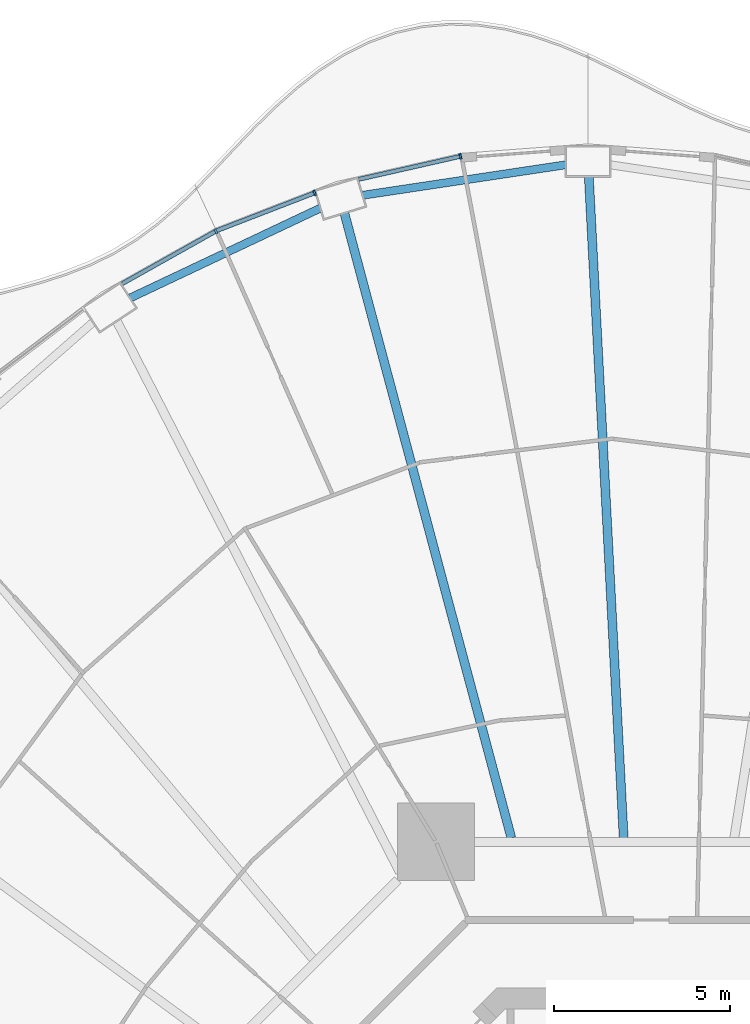
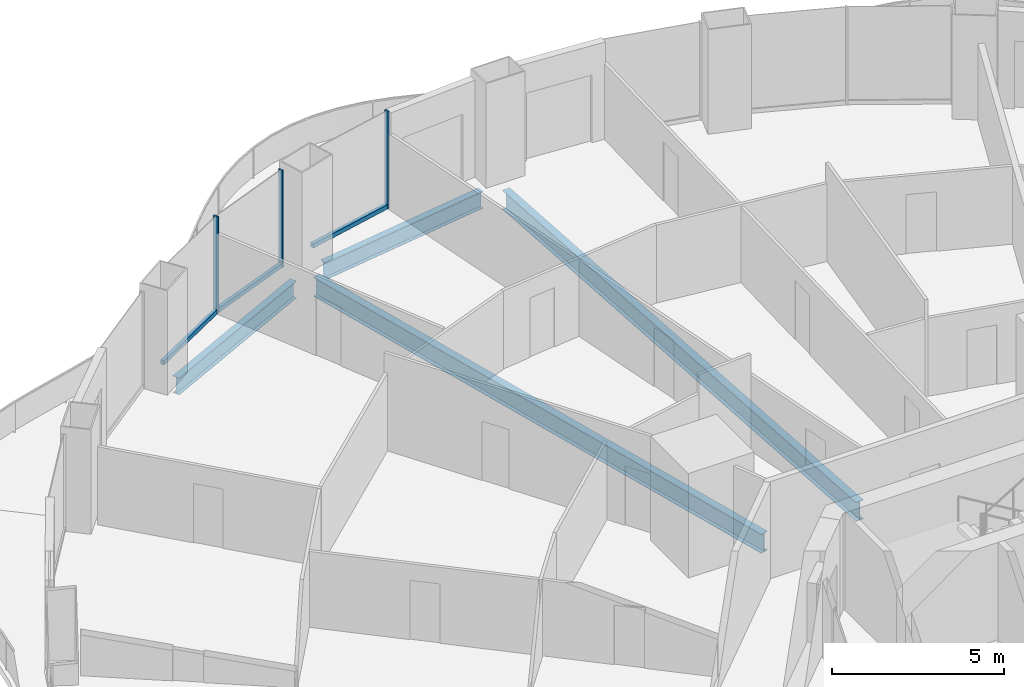
# One storey, part 9 of 22: 6 members, 4 beams, 3 elements without a shape of their own.
"""IFC4 building model written with IfcOpenShell, lengths in metres."""

from ifc_helpers import new_model, si_unit, direction, frame, origin, origin_2d, place, context, subcontext, project, spatial, rectangle, i_section, extrude, material, layer, layer_set, material_profile, profile_set, type_object, element, aggregate, save


model = new_model("IFC4")

# Units and contexts
model_context = context("Model", 3, precision=1e-05, world=origin(), true_north=direction((0.0, 1.0)))
body_context = subcontext(model_context, "Body", "Model", "MODEL_VIEW")
ifc_project = project(units=[si_unit("LENGTHUNIT", "METRE"), si_unit("AREAUNIT", "SQUARE_METRE"), si_unit("VOLUMEUNIT", "CUBIC_METRE"), si_unit("PLANEANGLEUNIT", "RADIAN"), si_unit("MASSUNIT", "GRAM", prefix="KILO")], contexts=[model_context])

# Site, building, storey
site_placement = place(None, origin())
site = spatial("IfcSite", under=ifc_project, at=site_placement, CompositionType="ELEMENT")
building_placement = place(site_placement, origin())
building = spatial("IfcBuilding", under=site, at=building_placement, Name="Nagisa Residences", CompositionType="ELEMENT")
storey_placement = place(building_placement, frame((0.0, 0.0, 106.60009765625)))
storey = spatial("IfcBuildingStorey", under=building, at=storey_placement, Name="L26", CompositionType="ELEMENT", Elevation=106.60009765625)

# Curtain wall, member
ifc_material_1 = material(Name="Concrete-coloured aluminium curtain wall system", Category="concrete")
ifc_layer = layer(ifc_material_1, 0.159912109375)
ifc_layer_set = layer_set([ifc_layer], Name="CW1 CURTAIN WALL")
curtain_wall_type = type_object("IfcCurtainWallType", Name="CW1 CURTAIN WALL", PredefinedType="NOTDEFINED", material=ifc_layer_set)
curtain_wall_1_placement = place(storey_placement, origin())
curtain_wall_1 = element("IfcCurtainWall", 1, at=curtain_wall_1_placement, inside=storey, type_object=curtain_wall_type, Name="cw:CW1:L26:13", PredefinedType="NOTDEFINED")
ifc_material_2 = material(Name="Concrete-coloured aluminium", Category="concrete")
ifc_material_profile_1 = material_profile(ifc_material_2, rectangle(XDim=0.159912109375, YDim=0.06005859375, at=origin_2d()), Name="CW1 MULLION 160x60")
ifc_profile_set_1 = profile_set([ifc_material_profile_1], Name="Concrete-coloured aluminium")
member_type_1 = type_object("IfcMemberType", Name="CW1 MULLION 160x60", PredefinedType="MULLION", material=ifc_profile_set_1)
member_1_placement = place(storey_placement, frame((-5.426513671875, 34.2783203125, 0.0), z_axis=(0.0, 0.0, 1.0), x_axis=(0.2207639201, -0.975327274089, 0.0)))
member_1 = element("IfcMember", 2, at=member_1_placement, type_object=member_type_1, Name="CW1 mullion", PredefinedType="MULLION", context=body_context, shape_type="SweptSolid", body=[
    extrude(rectangle(XDim=0.159912109375, YDim=0.06005859375, at=origin_2d()), origin(), (0.0, 0.0, 1.0), 3.43994140625),
])

curtain_wall_2_placement = place(storey_placement, origin())
curtain_wall_2 = element("IfcCurtainWall", 3, at=curtain_wall_2_placement, inside=storey, type_object=curtain_wall_type, Name="cw:CW1:L26:14", PredefinedType="NOTDEFINED")
member_2_placement = place(storey_placement, frame((-9.573486328125, 33.2392578125, 0.0), z_axis=(0.0, 0.0, 1.0), x_axis=(0.360327770268, -0.932825759707, 0.0)))
member_2 = element("IfcMember", 4, at=member_2_placement, type_object=member_type_1, Name="CW1 mullion", PredefinedType="MULLION", context=body_context, shape_type="SweptSolid", body=[
    extrude(rectangle(XDim=0.159912109375, YDim=0.06005859375, at=origin_2d()), origin(), (0.0, 0.0, 1.0), 3.43994140625),
])

curtain_wall_3_placement = place(storey_placement, origin())
curtain_wall_3 = element("IfcCurtainWall", 5, at=curtain_wall_3_placement, inside=storey, type_object=curtain_wall_type, Name="cw:CW1:L26:15", PredefinedType="NOTDEFINED")
member_3_placement = place(storey_placement, frame((-12.385498046875, 32.1494140625, 0.0), z_axis=(0.0, 0.0, 1.0), x_axis=(0.489376918501, -0.872072377523, 0.0)))
member_3 = element("IfcMember", 6, at=member_3_placement, type_object=member_type_1, Name="CW1 mullion", PredefinedType="MULLION", context=body_context, shape_type="SweptSolid", body=[
    extrude(rectangle(XDim=0.159912109375, YDim=0.06005859375, at=origin_2d()), origin(), (0.0, 0.0, 1.0), 3.43994140625),
])

# Member
ifc_material_3 = material(Name="Concrete-coloured aluminium", Category="concrete")
ifc_material_profile_2 = material_profile(ifc_material_3, rectangle(XDim=0.1201171875, YDim=0.14990234375, at=origin_2d()), Name="CW1 TRANSOM 120x150")
ifc_profile_set_2 = profile_set([ifc_material_profile_2], Name="Concrete-coloured aluminium")
member_type_2 = type_object("IfcMemberType", Name="CW1 TRANSOM 120x150", PredefinedType="USERDEFINED", material=ifc_profile_set_2)
member_4_placement = place(storey_placement, frame((-5.397216796875, 34.28515625, 0.074951171875), z_axis=(-0.975317607872, -0.220806620767, 0.0), x_axis=(0.220806620767, -0.975317607872, 0.0)))
member_4 = element("IfcMember", 7, at=member_4_placement, type_object=member_type_2, Name="CW1 transom", ObjectType="TRANSOM", PredefinedType="USERDEFINED", context=body_context, shape_type="SweptSolid", body=[
    extrude(rectangle(XDim=0.1201171875, YDim=0.14990234375, at=origin_2d()), origin(), (0.0, 0.0, 1.0), 2.9931640625),
])

aggregate(curtain_wall_1, [member_1, member_4])

member_5_placement = place(storey_placement, frame((-9.54541015625, 33.25, 0.074951171875), z_axis=(-0.932837560624, -0.360297218263, 0.0), x_axis=(0.360297218263, -0.932837560624, 0.0)))
member_5 = element("IfcMember", 8, at=member_5_placement, type_object=member_type_2, Name="CW1 transom", ObjectType="TRANSOM", PredefinedType="USERDEFINED", context=body_context, shape_type="SweptSolid", body=[
    extrude(rectangle(XDim=0.1201171875, YDim=0.14990234375, at=origin_2d()), origin(), (0.0, 0.0, 1.0), 3.027587890625),
])

aggregate(curtain_wall_2, [member_2, member_5])

member_6_placement = place(storey_placement, frame((-12.359375, 32.1640625, 0.074951171875), z_axis=(-0.872037280335, -0.489439456631, 0.0), x_axis=(0.489439456631, -0.872037280335, 0.0)))
member_6 = element("IfcMember", 9, at=member_6_placement, type_object=member_type_2, Name="CW1 transom", ObjectType="TRANSOM", PredefinedType="USERDEFINED", context=body_context, shape_type="SweptSolid", body=[
    extrude(rectangle(XDim=0.1201171875, YDim=0.14990234375, at=origin_2d()), origin(), (0.0, 0.0, 1.0), 3.07568359375),
])

aggregate(curtain_wall_3, [member_3, member_6])

# Beams
ifc_material_4 = material(Name="Steel ASTM A572 Gr 50", Category="steel")
ifc_material_profile_3 = material_profile(ifc_material_4, i_section(OverallWidth=0.22802734375, OverallDepth=0.60302734375, WebThickness=0.010498046875, FlangeThickness=0.014892578125, at=origin_2d()), Name="W610x101")
ifc_profile_set_3 = profile_set([ifc_material_profile_3], Name="Steel ASTM A572 Gr 50")
beam_type_1 = type_object("IfcBeamType", Name="Perimeter ring beam W610x101", PredefinedType="BEAM", material=ifc_profile_set_3)
beam_1_placement = place(storey_placement, frame((-2.43017578125, 34.0380859375, -0.5615234375), z_axis=(-0.988913048607, -0.148495731568, 0.0), x_axis=(0.148495731568, -0.988913048607, 0.0)))
element("IfcBeam", 10, at=beam_1_placement, inside=storey, type_object=beam_type_1, Name="beam:L26:pb07", PredefinedType="BEAM", context=body_context, shape_type="SweptSolid", body=[
    extrude(i_section(OverallWidth=0.22802734375, OverallDepth=0.60302734375, WebThickness=0.010498046875, FlangeThickness=0.014892578125, at=origin_2d()), origin(), (0.0, 0.0, 1.0), 5.843017578125),
])
beam_2_placement = place(storey_placement, frame((-9.41455078125, 32.8037109375, -0.5615234375), z_axis=(-0.90418952838, -0.427131474804, 0.0), x_axis=(0.427131474804, -0.90418952838, 0.0)))
element("IfcBeam", 11, at=beam_2_placement, inside=storey, type_object=beam_type_1, Name="beam:L26:pb08", PredefinedType="BEAM", context=body_context, shape_type="SweptSolid", body=[
    extrude(i_section(OverallWidth=0.22802734375, OverallDepth=0.60302734375, WebThickness=0.010498046875, FlangeThickness=0.014892578125, at=origin_2d()), origin(), (0.0, 0.0, 1.0), 5.98046875),
])
ifc_material_5 = material(Name="Steel ASTM A572 Gr 50", Category="steel")
ifc_material_profile_4 = material_profile(ifc_material_5, i_section(OverallWidth=0.2529296875, OverallDepth=0.677978515625, WebThickness=0.01171875, FlangeThickness=0.016357421875, at=origin_2d()), Name="W690x125")
ifc_profile_set_4 = profile_set([ifc_material_profile_4], Name="Steel ASTM A572 Gr 50")
beam_type_2 = type_object("IfcBeamType", Name="Radial beam W690x125", PredefinedType="BEAM", material=ifc_profile_set_4)
beam_3_placement = place(storey_placement, frame((-1.77734375, 33.70263671875, -0.59912109375), z_axis=(0.05266700958, -0.998612129959, 0.0), x_axis=(0.998612129959, 0.05266700958, 0.0)))
element("IfcBeam", 12, at=beam_3_placement, inside=storey, type_object=beam_type_2, Name="beam:L26:rb07", PredefinedType="BEAM", context=body_context, shape_type="SweptSolid", body=[
    extrude(i_section(OverallWidth=0.2529296875, OverallDepth=0.677978515625, WebThickness=0.01171875, FlangeThickness=0.016357421875, at=origin_2d()), origin(), (0.0, 0.0, 1.0), 18.834228515625),
])
beam_4_placement = place(storey_placement, frame((-8.7275390625, 32.66015625, -0.59912109375), z_axis=(0.258170831181, -0.96609928161, 0.0), x_axis=(0.96609928161, 0.258170831181, 0.0)))
element("IfcBeam", 13, at=beam_4_placement, inside=storey, type_object=beam_type_2, Name="beam:L26:rb08", PredefinedType="BEAM", context=body_context, shape_type="SweptSolid", body=[
    extrude(i_section(OverallWidth=0.2529296875, OverallDepth=0.677978515625, WebThickness=0.01171875, FlangeThickness=0.016357421875, at=origin_2d()), origin(), (0.0, 0.0, 1.0), 18.38818359375),
])

save(model, "model.ifc")
